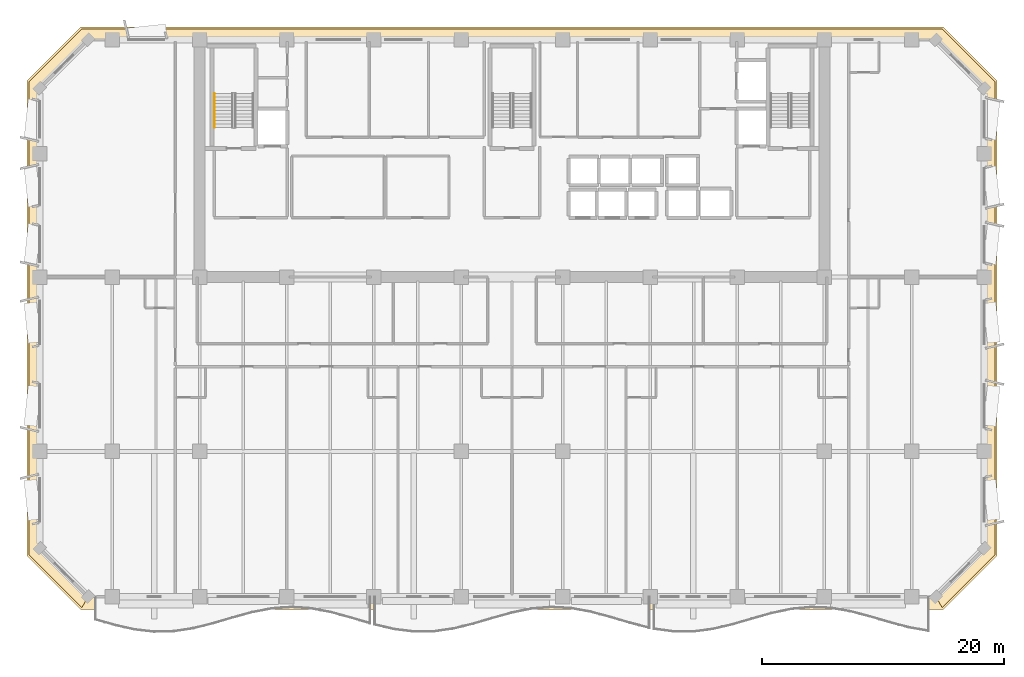
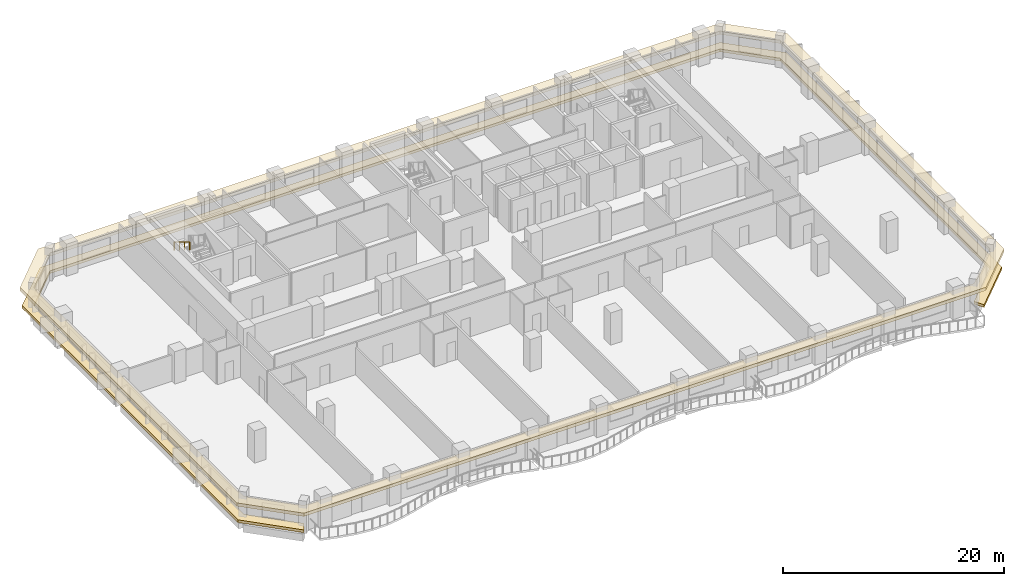
# One storey, part 11 of 14: 2 coverings, 1 railing.
"""IFC4 building model written with IfcOpenShell, lengths in metres."""

from ifc_helpers import new_model, si_unit, direction, frame, origin, origin_2d, place, context, subcontext, project, spatial, polyline, rectangle, outline, extrude, material, layer, layer_set, type_object, element, save


model = new_model("IFC4")

# Units and contexts
model_context = context("Model", 3, precision=1e-05, world=origin(), true_north=direction((0.0, 1.0)))
body_context = subcontext(model_context, "Body", "Model", "MODEL_VIEW")
ifc_project = project(units=[si_unit("LENGTHUNIT", "METRE"), si_unit("AREAUNIT", "SQUARE_METRE"), si_unit("VOLUMEUNIT", "CUBIC_METRE"), si_unit("PLANEANGLEUNIT", "RADIAN"), si_unit("MASSUNIT", "GRAM", prefix="KILO")], contexts=[model_context])

# Site, building, storey
site_placement = place(None, origin())
site = spatial("IfcSite", under=ifc_project, at=site_placement, CompositionType="ELEMENT")
building_placement = place(site_placement, origin())
building = spatial("IfcBuilding", under=site, at=building_placement, Name="Kaelvorn Grand Hotel", CompositionType="ELEMENT")
storey_placement = place(building_placement, frame((0.0, 0.0, 197.75)))
storey = spatial("IfcBuildingStorey", under=building, at=storey_placement, Name="L48", CompositionType="ELEMENT", Elevation=197.75)

# Coverings
ifc_material_1 = material(Name="Precast concrete C45/55", Category="concrete")
ifc_layer_1 = layer(ifc_material_1, 0.260009765625)
ifc_layer_set_1 = layer_set([ifc_layer_1], Name="Precast concrete C45/55")
covering_type_1 = type_object("IfcCoveringType", Name="COV-BAND-STREAMLINE-HEAD", PredefinedType="CLADDING", material=ifc_layer_set_1)
covering_1_placement = place(storey_placement, frame((0.0, 0.0, 2.3798828125)))
element("IfcCovering", 1, at=covering_1_placement, inside=storey, type_object=covering_type_1, Name="L48 Streamline Moderne Wraparound Horizontal Eyebrow Band", PredefinedType="CLADDING", context=body_context, shape_type="SweptSolid", body=[
    extrude(outline(polyline([(6.389892578125, 1.949951171875), (77.610107421875, 1.949951171875), (82.050048828125, 6.389892578125), (82.050048828125, 45.610107421875), (77.610107421875, 50.050048828125), (6.389892578125, 50.050048828125), (1.949951171875, 45.610107421875), (1.949951171875, 6.389892578125), (6.389892578125, 1.949951171875)]), holes=[polyline([(7.02001953125, 3.030029296875), (76.97998046875, 3.030029296875), (80.969970703125, 7.02001953125), (80.969970703125, 44.97998046875), (76.97998046875, 48.969970703125), (7.02001953125, 48.969970703125), (3.030029296875, 44.97998046875), (3.030029296875, 7.02001953125), (7.02001953125, 3.030029296875)])]), origin(), (0.0, 0.0, 1.0), 0.360107421875),
])
ifc_layer_2 = layer(ifc_material_1, 0.219970703125)
ifc_layer_set_2 = layer_set([ifc_layer_2], Name="Precast concrete C45/55")
covering_type_2 = type_object("IfcCoveringType", Name="COV-BAND-STREAMLINE-SILL", PredefinedType="CLADDING", material=ifc_layer_set_2)
covering_2_placement = place(storey_placement, frame((0.0, 0.0, 0.449951171875)))
element("IfcCovering", 2, at=covering_2_placement, inside=storey, type_object=covering_type_2, Name="L48 Streamline Moderne Wraparound Horizontal Sill Spandrel Band", PredefinedType="CLADDING", context=body_context, shape_type="SweptSolid", body=[
    extrude(outline(polyline([(77.515380859375, 2.1201171875), (81.8798828125, 6.484619140625), (81.8798828125, 45.515380859375), (77.515380859375, 49.8798828125), (6.484619140625, 49.8798828125), (2.1201171875, 45.515380859375), (2.1201171875, 6.484619140625), (6.484619140625, 2.1201171875), (7.017578125, 3.030029296875), (3.030029296875, 7.017578125), (3.030029296875, 44.982421875), (7.017578125, 48.969970703125), (76.982421875, 48.969970703125), (80.969970703125, 44.982421875), (80.969970703125, 7.017578125), (76.982421875, 3.030029296875), (77.515380859375, 2.1201171875)])), origin(), (0.0, 0.0, 1.0), 0.300048828125),
])

# Railing
ifc_material_2 = material(Name="Stainless Steel", Category="steel")
railing_type = type_object("IfcRailingType", Name="RL-HANDRAIL-900", PredefinedType="HANDRAIL", material=ifc_material_2)
railing_placement = place(storey_placement, frame((17.449951171875, 44.56005859375, 2.07275390625)))
element("IfcRailing", 3, at=railing_placement, inside=storey, type_object=railing_type, Name="L48 ST1 stair handrail 2", PredefinedType="HANDRAIL", context=body_context, shape_type="SweptSolid", body=[
    extrude(rectangle(XDim=0.048095703125, YDim=0.048095703125, at=origin_2d()), frame((0.0, 0.0, 0.8759765625), z_axis=(0.0, -0.851089632645, 0.525020415988), x_axis=(1.0, 0.0, 0.0)), (0.0, 0.0, 1.0), 3.2900390625),
    extrude(rectangle(XDim=0.0419921875, YDim=0.0419921875, at=origin_2d()), origin(), (0.0, 0.0, 1.0), 0.851806640625),
    extrude(rectangle(XDim=0.0419921875, YDim=0.0419921875, at=origin_2d()), frame((0.0, -0.933349609375, 0.57568359375)), (0.0, 0.0, 1.0), 0.851806640625),
    extrude(rectangle(XDim=0.0419921875, YDim=0.0419921875, at=origin_2d()), frame((0.0, -1.86669921875, 1.151611328125)), (0.0, 0.0, 1.0), 0.851806640625),
    extrude(rectangle(XDim=0.0419921875, YDim=0.0419921875, at=origin_2d()), frame((0.0, -2.800048828125, 1.727294921875)), (0.0, 0.0, 1.0), 0.851806640625),
])

save(model, "model.ifc")
